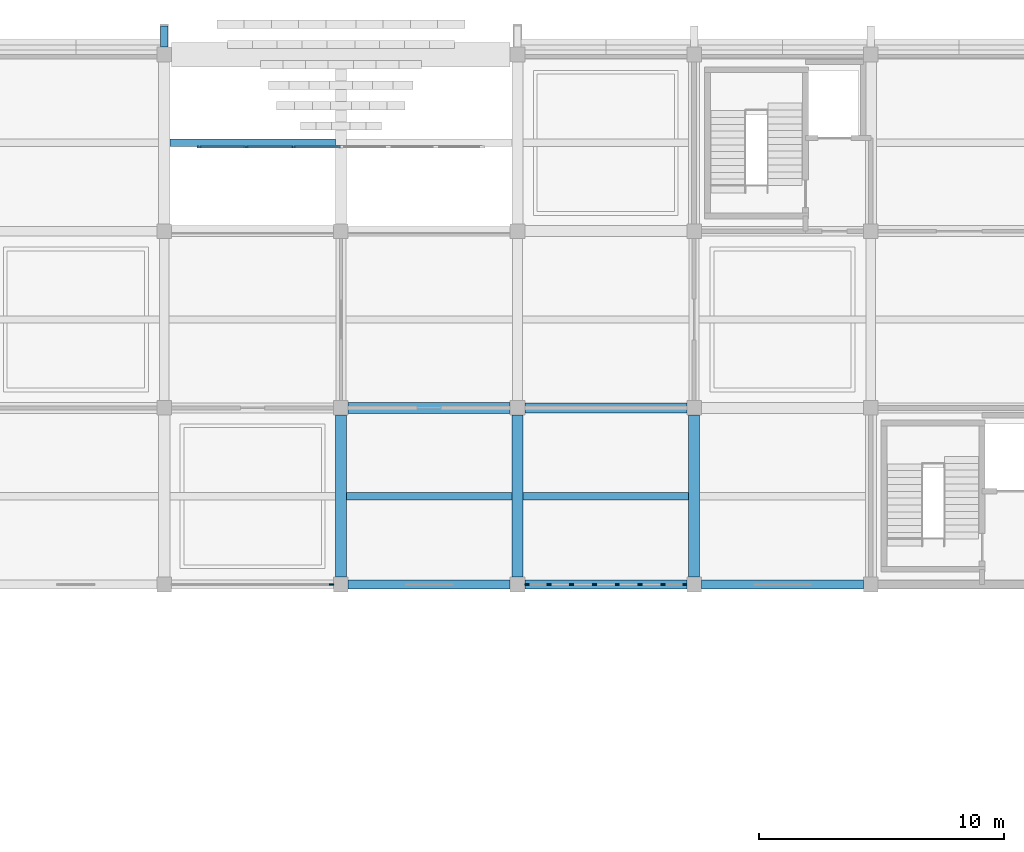
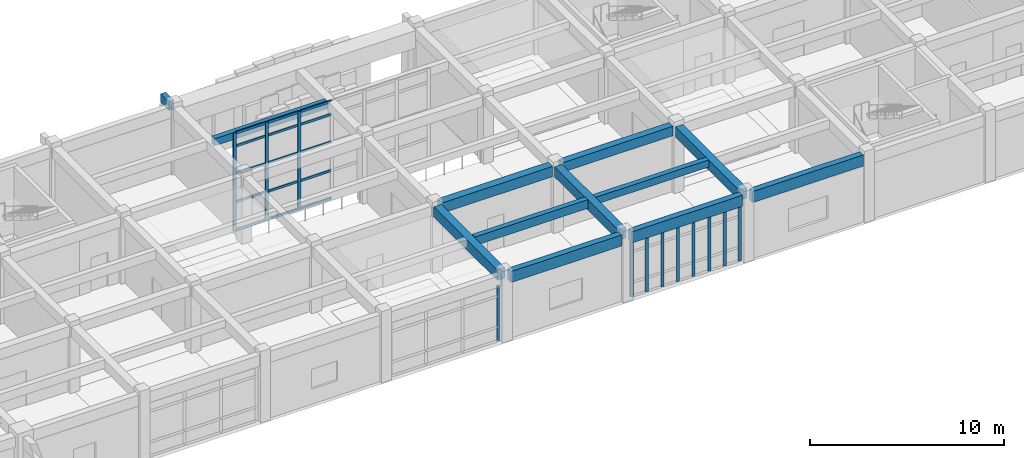
# One storey, part 20 of 81: 27 members, 12 beams, 3 elements without a shape of their own.
"""IFC4 building model written with IfcOpenShell, lengths in metres."""

from ifc_helpers import new_model, si_unit, direction, frame, origin, origin_2d, place, context, subcontext, project, spatial, rectangle, extrude, material, layer, layer_set, material_profile, profile_set, type_object, element, aggregate, save


model = new_model("IFC4")

# Units and contexts
model_context = context("Model", 3, precision=1e-05, world=origin(), true_north=direction((0.0, 1.0)))
body_context = subcontext(model_context, "Body", "Model", "MODEL_VIEW")
ifc_project = project(units=[si_unit("LENGTHUNIT", "METRE"), si_unit("AREAUNIT", "SQUARE_METRE"), si_unit("VOLUMEUNIT", "CUBIC_METRE"), si_unit("PLANEANGLEUNIT", "RADIAN"), si_unit("MASSUNIT", "GRAM", prefix="KILO")], contexts=[model_context])

# Site, building, storey
site_placement = place(None, origin())
site = spatial("IfcSite", under=ifc_project, at=site_placement, CompositionType="ELEMENT")
building_placement = place(site_placement, origin())
building = spatial("IfcBuilding", under=site, at=building_placement, Name="Kavelor Marine Aquarium", CompositionType="ELEMENT")
storey_placement = place(building_placement, frame((0.0, 0.0, 4.679931640625)))
storey = spatial("IfcBuildingStorey", under=building, at=storey_placement, Name="L01", CompositionType="ELEMENT", Elevation=4.679931640625)

# Beams
ifc_material_1 = material(Name="Concrete C40/50", Category="concrete")
ifc_material_profile_1 = material_profile(ifc_material_1, rectangle(XDim=0.449951171875, YDim=0.64990234375, at=origin_2d()), Name="RC-BM 450x650")
ifc_profile_set_1 = profile_set([ifc_material_profile_1], Name="Concrete C40/50")
beam_type_1 = type_object("IfcBeamType", Name="BM-B3", PredefinedType="BEAM", material=ifc_profile_set_1)
beam_1_placement = place(storey_placement, frame((68.300048828125, 96.39990234375, 3.875), z_axis=(1.0, 0.0, 0.0), x_axis=(0.0, 1.0, 0.0)))
element("IfcBeam", 1, at=beam_1_placement, inside=storey, type_object=beam_type_1, Name="bm:x:L01:L02:09_13", PredefinedType="BEAM", context=body_context, shape_type="SweptSolid", body=[
    extrude(rectangle(XDim=0.449951171875, YDim=0.64990234375, at=origin_2d()), origin(), (0.0, 0.0, 1.0), 6.599853515625),
])
for number, where, z_axis, x_axis, name in (
    (2, (68.0, 89.5, 3.875), (0.0, 1.0, 0.0), (-1.0, 0.0, 0.0), "bm:y:L01:L02:09_12"),
    (3, (75.199951171875, 89.5, 3.875), (0.0, 1.0, 0.0), (-1.0, 0.0, 0.0), "bm:y:L01:L02:10_12"),
    (4, (82.39990234375, 89.5, 3.875), (0.0, 1.0, 0.0), (-1.0, 0.0, 0.0), "bm:y:L01:L02:11_12"),
):
    element("IfcBeam", number, at=place(storey_placement, frame(where, z_axis=z_axis, x_axis=x_axis)), inside=storey, type_object=beam_type_1, Name=name, PredefinedType="BEAM", context=body_context, shape_type="SweptSolid", body=[
        extrude(rectangle(XDim=0.449951171875, YDim=0.64990234375, at=origin_2d()), origin(), (0.0, 0.0, 1.0), 6.60009765625),
    ])
ifc_material_2 = material(Name="Concrete C40/50", Category="concrete")
ifc_material_profile_2 = material_profile(ifc_material_2, rectangle(XDim=0.39990234375, YDim=0.60009765625, at=origin_2d()), Name="RC-BM 400x600")
ifc_profile_set_2 = profile_set([ifc_material_profile_2], Name="Concrete C40/50")
beam_type_2 = type_object("IfcBeamType", Name="BM-B4", PredefinedType="BEAM", material=ifc_profile_set_2)
beam_2_placement = place(storey_placement, frame((75.5, 96.39990234375, 3.900146484375), z_axis=(1.0, 0.0, 0.0), x_axis=(0.0, 1.0, 0.0)))
element("IfcBeam", 5, at=beam_2_placement, inside=storey, type_object=beam_type_2, Name="bm:x:L01:L02:10_13", PredefinedType="BEAM", context=body_context, shape_type="SweptSolid", body=[
    extrude(rectangle(XDim=0.39990234375, YDim=0.60009765625, at=origin_2d()), origin(), (0.0, 0.0, 1.0), 6.60009765625),
])
ifc_material_3 = material(Name="Concrete C40/50", Category="concrete")
ifc_material_profile_3 = material_profile(ifc_material_3, rectangle(XDim=0.300048828125, YDim=0.449951171875, at=origin_2d()), Name="RC-JS 300x450")
ifc_profile_set_3 = profile_set([ifc_material_profile_3], Name="Concrete C40/50")
beam_type_3 = type_object("IfcBeamType", Name="BM-JS1", PredefinedType="JOIST", material=ifc_profile_set_3)
for number, where, z_axis, x_axis, name in (
    (6, (61.02490234375, 107.199951171875, 3.97509765625), (1.0, 0.0, 0.0), (0.0, 1.0, 0.0), "js:L01:L02:08_14"),
    (7, (75.425048828125, 92.800048828125, 3.97509765625), (1.0, 0.0, 0.0), (0.0, 1.0, 0.0), "js:L01:L02:10_12"),
):
    element("IfcBeam", number, at=place(storey_placement, frame(where, z_axis=z_axis, x_axis=x_axis)), inside=storey, type_object=beam_type_3, Name=name, PredefinedType="JOIST", context=body_context, shape_type="SweptSolid", body=[
        extrude(rectangle(XDim=0.300048828125, YDim=0.449951171875, at=origin_2d()), origin(), (0.0, 0.0, 1.0), 6.75),
    ])
ifc_material_4 = material(Name="Concrete C40/50", Category="concrete")
ifc_material_profile_4 = material_profile(ifc_material_4, rectangle(XDim=0.300048828125, YDim=0.550048828125, at=origin_2d()), Name="RC-JS 300x550")
ifc_profile_set_4 = profile_set([ifc_material_profile_4], Name="Concrete C40/50")
beam_type_4 = type_object("IfcBeamType", Name="BM-JS2", PredefinedType="JOIST", material=ifc_profile_set_4)
beam_3_placement = place(storey_placement, frame((68.22509765625, 92.800048828125, 3.945068359375), z_axis=(1.0, 0.0, 0.0), x_axis=(0.0, 1.0, 0.0)))
element("IfcBeam", 8, at=beam_3_placement, inside=storey, type_object=beam_type_4, Name="js:L01:L02:09_12", PredefinedType="JOIST", context=body_context, shape_type="SweptSolid", body=[
    extrude(rectangle(XDim=0.300048828125, YDim=0.550048828125, at=origin_2d()), origin(), (0.0, 0.0, 1.0), 6.75),
])
ifc_material_5 = material(Name="Concrete C40/50", Category="concrete")
ifc_material_profile_5 = material_profile(ifc_material_5, rectangle(XDim=0.35009765625, YDim=0.699951171875, at=origin_2d()), Name="RC-SP 350x700")
ifc_profile_set_5 = profile_set([ifc_material_profile_5], Name="Concrete C40/50")
beam_type_5 = type_object("IfcBeamType", Name="BM-SP1", PredefinedType="SPANDREL", material=ifc_profile_set_5)
beam_4_placement = place(storey_placement, frame((68.300048828125, 89.199951171875, 3.8701171875), z_axis=(1.0, 0.0, 0.0), x_axis=(0.0, 1.0, 0.0)))
element("IfcBeam", 9, at=beam_4_placement, inside=storey, type_object=beam_type_5, Name="bm:x:L01:L02:09_12", PredefinedType="SPANDREL", context=body_context, shape_type="SweptSolid", body=[
    extrude(rectangle(XDim=0.35009765625, YDim=0.699951171875, at=origin_2d()), origin(), (0.0, 0.0, 1.0), 6.599853515625),
])
for number, where, z_axis, x_axis, name in (
    (10, (75.5, 89.199951171875, 3.85009765625), (1.0, 0.0, 0.0), (0.0, 1.0, 0.0), "bm:x:L01:L02:10_12"),
    (11, (82.699951171875, 89.199951171875, 3.8701171875), (1.0, 0.0, 0.0), (0.0, 1.0, 0.0), "bm:x:L01:L02:11_12"),
):
    element("IfcBeam", number, at=place(storey_placement, frame(where, z_axis=z_axis, x_axis=x_axis)), inside=storey, type_object=beam_type_5, Name=name, PredefinedType="SPANDREL", context=body_context, shape_type="SweptSolid", body=[
        extrude(rectangle(XDim=0.35009765625, YDim=0.699951171875, at=origin_2d()), origin(), (0.0, 0.0, 1.0), 6.60009765625),
    ])
ifc_material_6 = material(Name="Concrete C40/50", Category="concrete")
ifc_material_profile_6 = material_profile(ifc_material_6, rectangle(XDim=0.300048828125, YDim=0.550048828125, at=origin_2d()), Name="RC-SP 300x550")
ifc_profile_set_6 = profile_set([ifc_material_profile_6], Name="Concrete C40/50")
beam_type_6 = type_object("IfcBeamType", Name="BM-SP2", PredefinedType="SPANDREL", material=ifc_profile_set_6)
beam_5_placement = place(storey_placement, frame((60.800048828125, 111.10009765625, 3.925048828125), z_axis=(0.0, 1.0, 0.0), x_axis=(-1.0, 0.0, 0.0)))
element("IfcBeam", 12, at=beam_5_placement, inside=storey, type_object=beam_type_6, Name="bm:out:n:L01:L02:08", PredefinedType="SPANDREL", context=body_context, shape_type="SweptSolid", body=[
    extrude(rectangle(XDim=0.300048828125, YDim=0.550048828125, at=origin_2d()), origin(), (0.0, 0.0, 1.0), 0.85986328125),
])

# Curtain wall, members
ifc_material_7 = material(Name="Thermally Broken Aluminium and Low-E Glass", Category="aluminium")
ifc_layer_1 = layer(ifc_material_7, 0.14794921875)
ifc_layer_set_1 = layer_set([ifc_layer_1], Name="CW-SYS1")
curtain_wall_type_1 = type_object("IfcCurtainWallType", Name="CW-SYS1", PredefinedType="USERDEFINED", material=ifc_layer_set_1)
curtain_wall_1_placement = place(storey_placement, origin())
curtain_wall_1 = element("IfcCurtainWall", 13, at=curtain_wall_1_placement, inside=storey, type_object=curtain_wall_type_1, Name="cw:x:L01:10_12", ObjectType="Curtain Wall", PredefinedType="USERDEFINED")
ifc_material_8 = material(Name="Anodised Aluminium Alloy 6063-T6", Category="aluminium")
ifc_material_profile_7 = material_profile(ifc_material_8, rectangle(XDim=0.074951171875, YDim=0.179931640625, at=origin_2d()), Name="CW-MUL 75x180")
ifc_profile_set_7 = profile_set([ifc_material_profile_7], Name="Anodised Aluminium Alloy 6063-T6")
member_type_1 = type_object("IfcMemberType", Name="CWM-1", PredefinedType="MULLION", material=ifc_profile_set_7)
member_1_placement = place(storey_placement, frame((82.017578125, 89.199951171875, 0.0), z_axis=(0.0, 0.0, 1.0), x_axis=(0.0, -1.0, 0.0)))
member_1 = element("IfcMember", 14, at=member_1_placement, type_object=member_type_1, Name="CW01 mullion 1", PredefinedType="MULLION", context=body_context, shape_type="SweptSolid", body=[
    extrude(rectangle(XDim=0.074951171875, YDim=0.179931640625, at=origin_2d()), origin(), (0.0, 0.0, 1.0), 3.489990234375),
])
member_2_placement = place(storey_placement, frame((81.125, 89.199951171875, 0.0), z_axis=(0.0, 0.0, 1.0), x_axis=(0.0, -1.0, 0.0)))
member_2 = element("IfcMember", 15, at=member_2_placement, type_object=member_type_1, Name="CW01 mullion 2", PredefinedType="MULLION", context=body_context, shape_type="SweptSolid", body=[
    extrude(rectangle(XDim=0.074951171875, YDim=0.179931640625, at=origin_2d()), origin(), (0.0, 0.0, 1.0), 3.489990234375),
])
member_3_placement = place(storey_placement, frame((80.195068359375, 89.199951171875, 0.0), z_axis=(0.0, 0.0, 1.0), x_axis=(0.0, -1.0, 0.0)))
member_3 = element("IfcMember", 16, at=member_3_placement, type_object=member_type_1, Name="CW01 mullion 3", PredefinedType="MULLION", context=body_context, shape_type="SweptSolid", body=[
    extrude(rectangle(XDim=0.074951171875, YDim=0.179931640625, at=origin_2d()), origin(), (0.0, 0.0, 1.0), 3.489990234375),
])
member_4_placement = place(storey_placement, frame((79.264892578125, 89.199951171875, 0.0), z_axis=(0.0, 0.0, 1.0), x_axis=(0.0, -1.0, 0.0)))
member_4 = element("IfcMember", 17, at=member_4_placement, type_object=member_type_1, Name="CW01 mullion 4", PredefinedType="MULLION", context=body_context, shape_type="SweptSolid", body=[
    extrude(rectangle(XDim=0.074951171875, YDim=0.179931640625, at=origin_2d()), origin(), (0.0, 0.0, 1.0), 3.489990234375),
])
member_5_placement = place(storey_placement, frame((78.3349609375, 89.199951171875, 0.0), z_axis=(0.0, 0.0, 1.0), x_axis=(0.0, -1.0, 0.0)))
member_5 = element("IfcMember", 18, at=member_5_placement, type_object=member_type_1, Name="CW01 mullion 5", PredefinedType="MULLION", context=body_context, shape_type="SweptSolid", body=[
    extrude(rectangle(XDim=0.074951171875, YDim=0.179931640625, at=origin_2d()), origin(), (0.0, 0.0, 1.0), 3.489990234375),
])
member_6_placement = place(storey_placement, frame((77.405029296875, 89.199951171875, 0.0), z_axis=(0.0, 0.0, 1.0), x_axis=(0.0, -1.0, 0.0)))
member_6 = element("IfcMember", 19, at=member_6_placement, type_object=member_type_1, Name="CW01 mullion 6", PredefinedType="MULLION", context=body_context, shape_type="SweptSolid", body=[
    extrude(rectangle(XDim=0.074951171875, YDim=0.179931640625, at=origin_2d()), origin(), (0.0, 0.0, 1.0), 3.489990234375),
])
member_7_placement = place(storey_placement, frame((76.47509765625, 89.199951171875, 0.0), z_axis=(0.0, 0.0, 1.0), x_axis=(0.0, -1.0, 0.0)))
member_7 = element("IfcMember", 20, at=member_7_placement, type_object=member_type_1, Name="CW01 mullion 7", PredefinedType="MULLION", context=body_context, shape_type="SweptSolid", body=[
    extrude(rectangle(XDim=0.074951171875, YDim=0.179931640625, at=origin_2d()), origin(), (0.0, 0.0, 1.0), 3.489990234375),
])
member_8_placement = place(storey_placement, frame((75.58251953125, 89.199951171875, 0.0), z_axis=(0.0, 0.0, 1.0), x_axis=(0.0, -1.0, 0.0)))
member_8 = element("IfcMember", 21, at=member_8_placement, type_object=member_type_1, Name="CW01 mullion 8", PredefinedType="MULLION", context=body_context, shape_type="SweptSolid", body=[
    extrude(rectangle(XDim=0.074951171875, YDim=0.179931640625, at=origin_2d()), origin(), (0.0, 0.0, 1.0), 3.489990234375),
])
aggregate(curtain_wall_1, [member_1, member_2, member_3, member_4, member_5, member_6, member_7, member_8])

# Curtain wall, member
ifc_material_9 = material(Name="Thermally Broken Aluminium and Low-E Glass", Category="aluminium")
ifc_layer_2 = layer(ifc_material_9, 0.323974609375)
ifc_layer_set_2 = layer_set([ifc_layer_2], Name="CW-SYS23")
curtain_wall_type_2 = type_object("IfcCurtainWallType", Name="CW-SYS23", PredefinedType="USERDEFINED", material=ifc_layer_set_2)
curtain_wall_2_placement = place(storey_placement, origin())
curtain_wall_2 = element("IfcCurtainWall", 22, at=curtain_wall_2_placement, inside=storey, type_object=curtain_wall_type_2, Name="cw:x:L01:08_12", ObjectType="Curtain Wall", PredefinedType="USERDEFINED")
ifc_material_10 = material(Name="Anodised Aluminium Alloy 6063-T6", Category="aluminium")
ifc_material_profile_8 = material_profile(ifc_material_10, rectangle(XDim=0.080078125, YDim=0.18505859375, at=origin_2d()), Name="CW-MUL 80x185")
ifc_profile_set_8 = profile_set([ifc_material_profile_8], Name="Anodised Aluminium Alloy 6063-T6")
member_type_2 = type_object("IfcMemberType", Name="CWM-2", PredefinedType="MULLION", material=ifc_profile_set_8)
member_9_placement = place(storey_placement, frame((67.62255859375, 89.199951171875, 0.0), z_axis=(0.0, 0.0, 1.0), x_axis=(0.0, -1.0, 0.0)))
member_9 = element("IfcMember", 23, at=member_9_placement, type_object=member_type_2, Name="CW23 mullion 1", PredefinedType="MULLION", context=body_context, shape_type="SweptSolid", body=[
    extrude(rectangle(XDim=0.080078125, YDim=0.18505859375, at=origin_2d()), origin(), (0.0, 0.0, 1.0), 3.489990234375),
])
aggregate(curtain_wall_2, [member_9])

# Curtain wall, members
ifc_material_11 = material(Name="Thermally Broken Aluminium and Low-E Glass", Category="aluminium")
ifc_layer_3 = layer(ifc_material_11, 0.283935546875)
ifc_layer_set_3 = layer_set([ifc_layer_3], Name="CW-SYS18")
curtain_wall_type_3 = type_object("IfcCurtainWallType", Name="CW-SYS18", PredefinedType="USERDEFINED", material=ifc_layer_set_3)
curtain_wall_3_placement = place(storey_placement, origin())
curtain_wall_3 = element("IfcCurtainWall", 24, at=curtain_wall_3_placement, inside=storey, type_object=curtain_wall_type_3, Name="cw:portal:north:screen", ObjectType="Curtain Wall", PredefinedType="USERDEFINED")
ifc_material_12 = material(Name="Anodised Aluminium Alloy 6063-T6", Category="aluminium")
ifc_material_profile_9 = material_profile(ifc_material_12, rectangle(XDim=0.0849609375, YDim=0.18994140625, at=origin_2d()), Name="CW-MUL 85x190")
ifc_profile_set_9 = profile_set([ifc_material_profile_9], Name="Anodised Aluminium Alloy 6063-T6")
member_type_3 = type_object("IfcMemberType", Name="CWM-3", PredefinedType="MULLION", material=ifc_profile_set_9)
member_10_placement = place(storey_placement, frame((62.22998046875, 107.0400390625, -2.0), z_axis=(0.0, 0.0, 1.0), x_axis=(0.0, 1.0, 0.0)))
member_10 = element("IfcMember", 25, at=member_10_placement, type_object=member_type_3, Name="CW18 mullion 1", PredefinedType="MULLION", context=body_context, shape_type="SweptSolid", body=[
    extrude(rectangle(XDim=0.0849609375, YDim=0.18994140625, at=origin_2d()), origin(), (0.0, 0.0, 1.0), 6.190185546875),
])
member_11_placement = place(storey_placement, frame((64.13330078125, 107.0400390625, -2.0), z_axis=(0.0, 0.0, 1.0), x_axis=(0.0, 1.0, 0.0)))
member_11 = element("IfcMember", 26, at=member_11_placement, type_object=member_type_3, Name="CW18 mullion 2", PredefinedType="MULLION", context=body_context, shape_type="SweptSolid", body=[
    extrude(rectangle(XDim=0.0849609375, YDim=0.18994140625, at=origin_2d()), origin(), (0.0, 0.0, 1.0), 6.190185546875),
])
member_12_placement = place(storey_placement, frame((66.066650390625, 107.0400390625, -2.0), z_axis=(0.0, 0.0, 1.0), x_axis=(0.0, 1.0, 0.0)))
member_12 = element("IfcMember", 27, at=member_12_placement, type_object=member_type_3, Name="CW18 mullion 3", PredefinedType="MULLION", context=body_context, shape_type="SweptSolid", body=[
    extrude(rectangle(XDim=0.0849609375, YDim=0.18994140625, at=origin_2d()), origin(), (0.0, 0.0, 1.0), 6.190185546875),
])
ifc_material_13 = material(Name="Anodised Aluminium Alloy 6063-T6", Category="aluminium")
ifc_material_profile_10 = material_profile(ifc_material_13, rectangle(XDim=0.074951171875, YDim=0.14990234375, at=origin_2d()), Name="CW-TRN 75x150")
ifc_profile_set_10 = profile_set([ifc_material_profile_10], Name="Anodised Aluminium Alloy 6063-T6")
member_type_4 = type_object("IfcMemberType", Name="CWT-1", PredefinedType="USERDEFINED", material=ifc_profile_set_10)
member_13_placement = place(storey_placement, frame((62.260009765625, 107.0400390625, -1.96240234375), z_axis=(1.0, 0.0, 0.0), x_axis=(0.0, 1.0, 0.0)))
member_13 = element("IfcMember", 28, at=member_13_placement, type_object=member_type_4, Name="CW18 transom 1.1", ObjectType="TRANSOM", PredefinedType="USERDEFINED", context=body_context, shape_type="SweptSolid", body=[
    extrude(rectangle(XDim=0.074951171875, YDim=0.14990234375, at=origin_2d()), origin(), (0.0, 0.0, 1.0), 1.84326171875),
])
member_14_placement = place(storey_placement, frame((62.260009765625, 107.0400390625, -0.199951171875), z_axis=(1.0, 0.0, 0.0), x_axis=(0.0, 1.0, 0.0)))
member_14 = element("IfcMember", 29, at=member_14_placement, type_object=member_type_4, Name="CW18 transom 1.2", ObjectType="TRANSOM", PredefinedType="USERDEFINED", context=body_context, shape_type="SweptSolid", body=[
    extrude(rectangle(XDim=0.074951171875, YDim=0.14990234375, at=origin_2d()), origin(), (0.0, 0.0, 1.0), 1.84326171875),
])
member_15_placement = place(storey_placement, frame((62.260009765625, 107.0400390625, 1.60009765625), z_axis=(1.0, 0.0, 0.0), x_axis=(0.0, 1.0, 0.0)))
member_15 = element("IfcMember", 30, at=member_15_placement, type_object=member_type_4, Name="CW18 transom 1.3", ObjectType="TRANSOM", PredefinedType="USERDEFINED", context=body_context, shape_type="SweptSolid", body=[
    extrude(rectangle(XDim=0.074951171875, YDim=0.14990234375, at=origin_2d()), origin(), (0.0, 0.0, 1.0), 1.84326171875),
])
member_16_placement = place(storey_placement, frame((62.260009765625, 107.0400390625, 3.340087890625), z_axis=(1.0, 0.0, 0.0), x_axis=(0.0, 1.0, 0.0)))
member_16 = element("IfcMember", 31, at=member_16_placement, type_object=member_type_4, Name="CW18 transom 1.4", ObjectType="TRANSOM", PredefinedType="USERDEFINED", context=body_context, shape_type="SweptSolid", body=[
    extrude(rectangle(XDim=0.074951171875, YDim=0.14990234375, at=origin_2d()), origin(), (0.0, 0.0, 1.0), 1.84326171875),
])
member_17_placement = place(storey_placement, frame((62.260009765625, 107.0400390625, 4.152587890625), z_axis=(1.0, 0.0, 0.0), x_axis=(0.0, 1.0, 0.0)))
member_17 = element("IfcMember", 32, at=member_17_placement, type_object=member_type_4, Name="CW18 transom 1.5", ObjectType="TRANSOM", PredefinedType="USERDEFINED", context=body_context, shape_type="SweptSolid", body=[
    extrude(rectangle(XDim=0.074951171875, YDim=0.14990234375, at=origin_2d()), origin(), (0.0, 0.0, 1.0), 1.84326171875),
])
member_18_placement = place(storey_placement, frame((64.163330078125, 107.0400390625, -1.96240234375), z_axis=(1.0, 0.0, 0.0), x_axis=(0.0, 1.0, 0.0)))
member_18 = element("IfcMember", 33, at=member_18_placement, type_object=member_type_4, Name="CW18 transom 2.1", ObjectType="TRANSOM", PredefinedType="USERDEFINED", context=body_context, shape_type="SweptSolid", body=[
    extrude(rectangle(XDim=0.074951171875, YDim=0.14990234375, at=origin_2d()), origin(), (0.0, 0.0, 1.0), 1.873291015625),
])
member_19_placement = place(storey_placement, frame((64.163330078125, 107.0400390625, -0.199951171875), z_axis=(1.0, 0.0, 0.0), x_axis=(0.0, 1.0, 0.0)))
member_19 = element("IfcMember", 34, at=member_19_placement, type_object=member_type_4, Name="CW18 transom 2.2", ObjectType="TRANSOM", PredefinedType="USERDEFINED", context=body_context, shape_type="SweptSolid", body=[
    extrude(rectangle(XDim=0.074951171875, YDim=0.14990234375, at=origin_2d()), origin(), (0.0, 0.0, 1.0), 1.873291015625),
])
member_20_placement = place(storey_placement, frame((64.163330078125, 107.0400390625, 1.60009765625), z_axis=(1.0, 0.0, 0.0), x_axis=(0.0, 1.0, 0.0)))
member_20 = element("IfcMember", 35, at=member_20_placement, type_object=member_type_4, Name="CW18 transom 2.3", ObjectType="TRANSOM", PredefinedType="USERDEFINED", context=body_context, shape_type="SweptSolid", body=[
    extrude(rectangle(XDim=0.074951171875, YDim=0.14990234375, at=origin_2d()), origin(), (0.0, 0.0, 1.0), 1.873291015625),
])
member_21_placement = place(storey_placement, frame((64.163330078125, 107.0400390625, 3.340087890625), z_axis=(1.0, 0.0, 0.0), x_axis=(0.0, 1.0, 0.0)))
member_21 = element("IfcMember", 36, at=member_21_placement, type_object=member_type_4, Name="CW18 transom 2.4", ObjectType="TRANSOM", PredefinedType="USERDEFINED", context=body_context, shape_type="SweptSolid", body=[
    extrude(rectangle(XDim=0.074951171875, YDim=0.14990234375, at=origin_2d()), origin(), (0.0, 0.0, 1.0), 1.873291015625),
])
member_22_placement = place(storey_placement, frame((64.163330078125, 107.0400390625, 4.152587890625), z_axis=(1.0, 0.0, 0.0), x_axis=(0.0, 1.0, 0.0)))
member_22 = element("IfcMember", 37, at=member_22_placement, type_object=member_type_4, Name="CW18 transom 2.5", ObjectType="TRANSOM", PredefinedType="USERDEFINED", context=body_context, shape_type="SweptSolid", body=[
    extrude(rectangle(XDim=0.074951171875, YDim=0.14990234375, at=origin_2d()), origin(), (0.0, 0.0, 1.0), 1.873291015625),
])
member_23_placement = place(storey_placement, frame((66.0966796875, 107.0400390625, -1.96240234375), z_axis=(1.0, 0.0, 0.0), x_axis=(0.0, 1.0, 0.0)))
member_23 = element("IfcMember", 38, at=member_23_placement, type_object=member_type_4, Name="CW18 transom 3.1", ObjectType="TRANSOM", PredefinedType="USERDEFINED", context=body_context, shape_type="SweptSolid", body=[
    extrude(rectangle(XDim=0.074951171875, YDim=0.14990234375, at=origin_2d()), origin(), (0.0, 0.0, 1.0), 1.873291015625),
])
member_24_placement = place(storey_placement, frame((66.0966796875, 107.0400390625, -0.199951171875), z_axis=(1.0, 0.0, 0.0), x_axis=(0.0, 1.0, 0.0)))
member_24 = element("IfcMember", 39, at=member_24_placement, type_object=member_type_4, Name="CW18 transom 3.2", ObjectType="TRANSOM", PredefinedType="USERDEFINED", context=body_context, shape_type="SweptSolid", body=[
    extrude(rectangle(XDim=0.074951171875, YDim=0.14990234375, at=origin_2d()), origin(), (0.0, 0.0, 1.0), 1.873291015625),
])
member_25_placement = place(storey_placement, frame((66.0966796875, 107.0400390625, 1.60009765625), z_axis=(1.0, 0.0, 0.0), x_axis=(0.0, 1.0, 0.0)))
member_25 = element("IfcMember", 40, at=member_25_placement, type_object=member_type_4, Name="CW18 transom 3.3", ObjectType="TRANSOM", PredefinedType="USERDEFINED", context=body_context, shape_type="SweptSolid", body=[
    extrude(rectangle(XDim=0.074951171875, YDim=0.14990234375, at=origin_2d()), origin(), (0.0, 0.0, 1.0), 1.873291015625),
])
member_26_placement = place(storey_placement, frame((66.0966796875, 107.0400390625, 3.340087890625), z_axis=(1.0, 0.0, 0.0), x_axis=(0.0, 1.0, 0.0)))
member_26 = element("IfcMember", 41, at=member_26_placement, type_object=member_type_4, Name="CW18 transom 3.4", ObjectType="TRANSOM", PredefinedType="USERDEFINED", context=body_context, shape_type="SweptSolid", body=[
    extrude(rectangle(XDim=0.074951171875, YDim=0.14990234375, at=origin_2d()), origin(), (0.0, 0.0, 1.0), 1.873291015625),
])
member_27_placement = place(storey_placement, frame((66.0966796875, 107.0400390625, 4.152587890625), z_axis=(1.0, 0.0, 0.0), x_axis=(0.0, 1.0, 0.0)))
member_27 = element("IfcMember", 42, at=member_27_placement, type_object=member_type_4, Name="CW18 transom 3.5", ObjectType="TRANSOM", PredefinedType="USERDEFINED", context=body_context, shape_type="SweptSolid", body=[
    extrude(rectangle(XDim=0.074951171875, YDim=0.14990234375, at=origin_2d()), origin(), (0.0, 0.0, 1.0), 1.873291015625),
])
aggregate(curtain_wall_3, [member_10, member_11, member_12, member_13, member_14, member_15, member_16, member_17, member_18, member_19, member_20, member_21, member_22, member_23, member_24, member_25, member_26, member_27])

save(model, "model.ifc")
